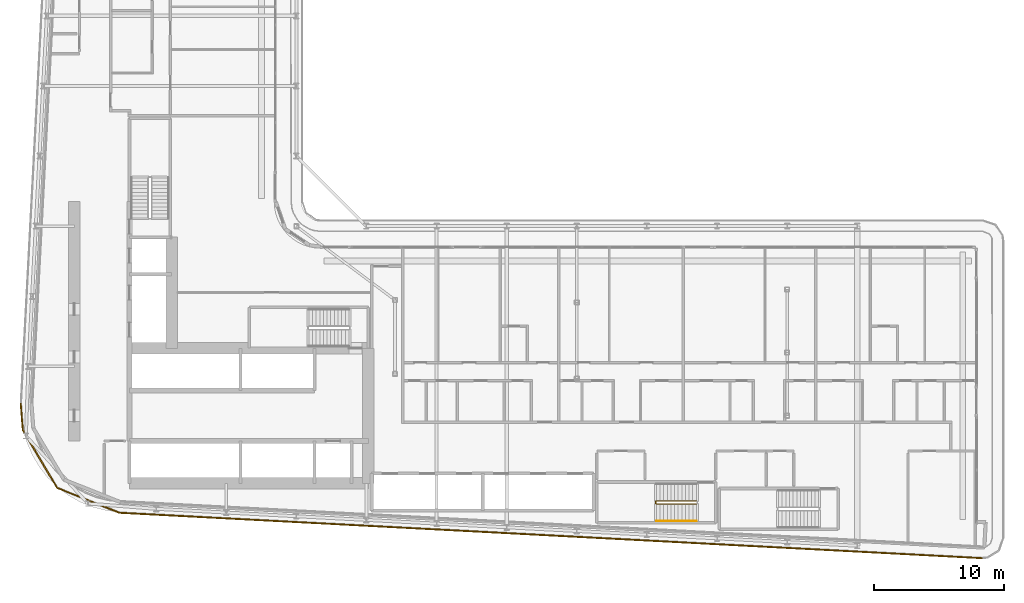
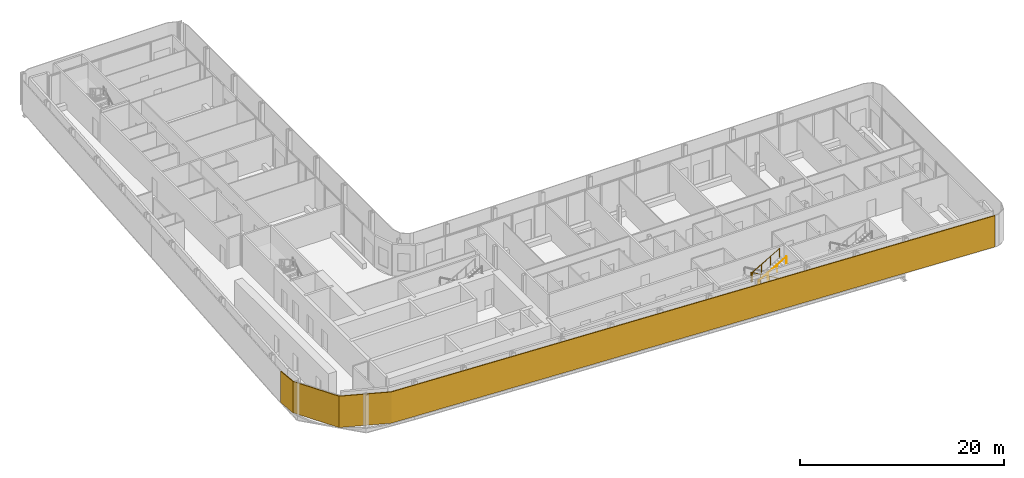
# One storey, part 23 of 27: 2 railings, 1 shading device.
"""IFC4 building model written with IfcOpenShell, lengths in metres."""

import ifcopenshell
import ifcopenshell.guid

model = None  # the IFC model being written
_history = None  # IfcOwnerHistory: only IFC2X3 demands one
_inside = {}  # id of a spatial element -> (the spatial element, [elements in it])
_under = {}  # id of a project, library or spatial element -> (it, [spatial elements below it])
_declared = {}  # id of a project -> (the project, [libraries it declares])
_typed = {}  # id of a type object -> (the type object, [elements of that type])
_made_of = {}  # id of a material, layer set ... -> (it, [elements and type objects made of it])


def new_model(schema):
    """Start an empty IFC model of exactly this schema.

    Asked for "IFC4X3", IfcOpenShell would pick the latest addendum, in which some entities
    have other attributes; the version numbers below select the first issue.
    IFC2X3 requires an IfcOwnerHistory on every rooted entity: one is made here for all.
    """
    global model, _history
    if schema == "IFC4X3":
        model = ifcopenshell.file(schema_version=(4, 3, 0, 0))
    else:
        model = ifcopenshell.file(schema=schema)
    _inside.clear()
    _under.clear()
    _declared.clear()
    _typed.clear()
    _made_of.clear()
    _history = None
    if model.schema == "IFC2X3":
        org = make("IfcOrganization", Name="unknown")
        user = make(
            "IfcPersonAndOrganization",
            ThePerson=make("IfcPerson", FamilyName="unknown"),
            TheOrganization=org,
        )
        app = make(
            "IfcApplication",
            ApplicationDeveloper=org,
            Version="unknown",
            ApplicationFullName="unknown",
            ApplicationIdentifier="unknown",
        )
        _history = make(
            "IfcOwnerHistory",
            OwningUser=user,
            OwningApplication=app,
            ChangeAction="ADDED",
            CreationDate=0,
        )
    return model


def make(cls, **values):
    """One entity of the class cls with the attributes given. An attribute that is None is left unset."""
    return model.create_entity(
        cls, **{name: value for name, value in values.items() if value is not None}
    )


def rooted(cls, **values):
    """An entity with a GlobalId (a new one), such as an element, a storey or a relation."""
    return make(cls, GlobalId=ifcopenshell.guid.new(), OwnerHistory=_history, **values)


def si_unit(unit_type, name, prefix=None):
    """IfcSIUnit, for example si_unit("LENGTHUNIT", "METRE", prefix="MILLI")."""
    return make("IfcSIUnit", UnitType=unit_type, Prefix=prefix, Name=name)


def assignment(units):
    """IfcUnitAssignment: the units of a project."""
    return None if units is None else make("IfcUnitAssignment", Units=units)


def point(xyz):
    """IfcCartesianPoint."""
    return None if xyz is None else make("IfcCartesianPoint", Coordinates=xyz)


def direction(xyz):
    """IfcDirection."""
    return None if xyz is None else make("IfcDirection", DirectionRatios=xyz)


def frame(location, z_axis=None, x_axis=None):
    """IfcAxis2Placement3D, a coordinate frame: its origin and axes. An axis left out is left unset."""
    return make(
        "IfcAxis2Placement3D",
        Location=point(location),
        Axis=direction(z_axis),
        RefDirection=direction(x_axis),
    )


def frame_2d(location, x_axis=None):
    """IfcAxis2Placement2D, a coordinate frame in the plane: its origin and x axis."""
    return make(
        "IfcAxis2Placement2D", Location=point(location), RefDirection=direction(x_axis)
    )


def origin():
    """The frame at (0, 0, 0) with its axes left unset."""
    return frame((0.0, 0.0, 0.0))


def origin_2d():
    """The frame at (0, 0) in the plane with its x axis left unset."""
    return frame_2d((0.0, 0.0))


def place(relative_to, where):
    """IfcLocalPlacement: puts the frame where relative to a parent placement (None: the world)."""
    return make(
        "IfcLocalPlacement", PlacementRelTo=relative_to, RelativePlacement=where
    )


def context(
    kind, dimensions, precision=None, world=None, true_north=None, identifier=None
):
    """IfcGeometricRepresentationContext, for example the 3D "Model" context."""
    return make(
        "IfcGeometricRepresentationContext",
        ContextIdentifier=identifier,
        ContextType=kind,
        CoordinateSpaceDimension=dimensions,
        Precision=precision,
        WorldCoordinateSystem=world,
        TrueNorth=true_north,
    )


def subcontext(parent, identifier, kind, view, scale=None):
    """IfcGeometricRepresentationSubContext, for example "Body" below "Model"."""
    return make(
        "IfcGeometricRepresentationSubContext",
        ContextIdentifier=identifier,
        ContextType=kind,
        ParentContext=parent,
        TargetScale=scale,
        TargetView=view,
    )


def project(units=None, contexts=None):
    """IfcProject with its units and contexts."""
    return rooted(
        "IfcProject",
        Name="project",
        RepresentationContexts=contexts,
        UnitsInContext=assignment(units),
    )


def spatial(cls, under=None, at=None, **own):
    """A site, building, storey or space (cls), placed at a placement, below another one or the project."""
    s = rooted(cls, ObjectPlacement=at, **own)
    if under is not None:
        _under.setdefault(under.id(), (under, []))[1].append(s)
    return s


def polyline(points):
    """IfcPolyline through the points."""
    return make("IfcPolyline", Points=[point(p) for p in points])


def profile(cls, at=None, kind="AREA", **sizes):
    """A parametric profile (cls). Its sizes go by their IFC names, for example OverallWidth=200.0."""
    return make(cls, ProfileType=kind, Position=at, **sizes)


def circle(**sizes):
    """IfcCircleProfileDef."""
    return profile("IfcCircleProfileDef", **sizes)


def outline(outer, holes=None, kind="AREA"):
    """IfcArbitraryClosedProfileDef: a profile drawn as a closed curve; with holes, ...WithVoids."""
    if holes is None:
        return make("IfcArbitraryClosedProfileDef", ProfileType=kind, OuterCurve=outer)
    return make(
        "IfcArbitraryProfileDefWithVoids",
        ProfileType=kind,
        OuterCurve=outer,
        InnerCurves=holes,
    )


def extrude(swept, where, along, depth):
    """IfcExtrudedAreaSolid: the profile swept, set in the frame where, extruded along a direction by depth."""
    return make(
        "IfcExtrudedAreaSolid",
        SweptArea=swept,
        Position=where,
        ExtrudedDirection=direction(along),
        Depth=depth,
    )


def shape(context_of_items, identifier, shape_type, items):
    """IfcShapeRepresentation: the items that make up one representation, for example the "Body"."""
    return make(
        "IfcShapeRepresentation",
        ContextOfItems=context_of_items,
        RepresentationIdentifier=identifier,
        RepresentationType=shape_type,
        Items=items,
    )


def material(Name=None, Category=None):
    """IfcMaterial."""
    return make("IfcMaterial", Name=Name, Category=Category)


def layer(
    of_material, thickness, ventilated=None, Name=None, Category=None, Priority=None
):
    """IfcMaterialLayer: one layer of a wall or slab, of a material (None: an air gap)."""
    return make(
        "IfcMaterialLayer",
        Material=of_material,
        LayerThickness=thickness,
        IsVentilated=ventilated,
        Name=Name,
        Category=Category,
        Priority=Priority,
    )


def layer_set(layers, Name=None):
    """IfcMaterialLayerSet."""
    return make("IfcMaterialLayerSet", MaterialLayers=layers, LayerSetName=Name)


def made_of(thing, what):
    """Note that an element or type object is made of a material, layer set ...; save() writes the relation."""
    if what is not None:
        _made_of.setdefault(what.id(), (what, []))[1].append(thing)
    return thing


def type_object(cls, material=None, **own):
    """A type object (cls), such as IfcWallType, which elements share."""
    return made_of(rooted(cls, **own), material)


def element(
    cls,
    number,
    at=None,
    inside=None,
    cuts=None,
    type_object=None,
    material=None,
    context=None,
    identifier="Body",
    shape_type=None,
    held_by="IfcProductDefinitionShape",
    body=None,
    shapes=None,
    **own,
):
    """One element of the class cls, such as IfcWall. Its Tag is "e" and its number.

    at: its placement. inside: the storey or other place that contains it. cuts: it is an
    opening in that element (IfcRelVoidsElement). A single representation is given by context,
    identifier, shape_type and body (its items); several are given by shapes. held_by: the class
    of the entity that holds the representations. save() writes the other relations.
    """
    e = rooted(cls, Tag="e%d" % number, ObjectPlacement=at, **own)
    if body is not None:
        shapes = [shape(context, identifier, shape_type, body)]
    if shapes is not None:
        e.Representation = make(held_by, Representations=shapes)
    if inside is not None:
        _inside.setdefault(inside.id(), (inside, []))[1].append(e)
    if cuts is not None:
        rooted(
            "IfcRelVoidsElement", RelatingBuildingElement=cuts, RelatedOpeningElement=e
        )
    if type_object is not None:
        _typed.setdefault(type_object.id(), (type_object, []))[1].append(e)
    return made_of(e, material)


def aggregate(whole, parts):
    """IfcRelAggregates: a whole, such as a stair, and the parts it consists of."""
    return rooted("IfcRelAggregates", RelatingObject=whole, RelatedObjects=parts)


def save(model, path):
    """Write the relations noted so far, then the file.

    IfcRelAggregates (storeys below a building ...), IfcRelContainedInSpatialStructure (elements
    in a storey), IfcRelDefinesByType, IfcRelAssociatesMaterial and IfcRelDeclares: one each for
    every whole, place, type object, material and project.
    """
    for whole, parts in _under.values():
        aggregate(whole, parts)
    for where, things in _inside.values():
        rooted(
            "IfcRelContainedInSpatialStructure",
            RelatedElements=things,
            RelatingStructure=where,
        )
    for kind, things in _typed.values():
        rooted("IfcRelDefinesByType", RelatedObjects=things, RelatingType=kind)
    for what, things in _made_of.values():
        rooted("IfcRelAssociatesMaterial", RelatedObjects=things, RelatingMaterial=what)
    for by, libraries in _declared.values():
        rooted("IfcRelDeclares", RelatingContext=by, RelatedDefinitions=libraries)
    model.write(path)


model = new_model("IFC4")

# Units and contexts
model_context = context("Model", 3, precision=1e-05, world=origin(), true_north=direction((0.0, 1.0)))
body_context = subcontext(model_context, "Body", "Model", "MODEL_VIEW")
ifc_project = project(units=[si_unit("LENGTHUNIT", "METRE"), si_unit("AREAUNIT", "SQUARE_METRE"), si_unit("VOLUMEUNIT", "CUBIC_METRE"), si_unit("PLANEANGLEUNIT", "RADIAN"), si_unit("MASSUNIT", "GRAM", prefix="KILO")], contexts=[model_context])

# Site, building, storey
site_placement = place(None, origin())
site = spatial("IfcSite", under=ifc_project, at=site_placement, CompositionType="ELEMENT")
building_placement = place(site_placement, origin())
building = spatial("IfcBuilding", under=site, at=building_placement, Name="Kheshtan School and Residences Tower", CompositionType="ELEMENT")
storey_placement = place(building_placement, frame((0.0, 0.0, 101.89990234375)))
storey = spatial("IfcBuildingStorey", under=building, at=storey_placement, Name="L23", CompositionType="ELEMENT", Elevation=101.89990234375)

# Shading device
ifc_material_1 = material(Name="Terracotta baguette, extruded ceramic", Category="masonry")
ifc_layer = layer(ifc_material_1, 0.10009765625)
ifc_layer_set = layer_set([ifc_layer], Name="Ledge screen, terracotta baguettes")
shading_device_type = type_object("IfcShadingDeviceType", Name="Ledge screen, terracotta baguettes", PredefinedType="USERDEFINED", material=ifc_layer_set)
shading_device_placement = place(storey_placement, origin())
element("IfcShadingDevice", 1, at=shading_device_placement, inside=storey, type_object=shading_device_type, Name="Screen L23 3", ObjectType="BAGUETTE", PredefinedType="USERDEFINED", context=body_context, shape_type="SweptSolid", body=[
    extrude(outline(polyline([(100.4208984375, 20.0830078125), (33.989013671875, 23.580078125), (29.2119140625, 25.486083984375), (26.583984375, 29.906982421875), (26.419921875, 31.989013671875), (26.320068359375, 31.98095703125), (26.486083984375, 29.8759765625), (29.14306640625, 25.406005859375), (33.967041015625, 23.48095703125), (100.416015625, 19.98291015625), (100.4208984375, 20.0830078125)])), origin(), (0.0, 0.0, 1.0), 3.75),
])

# Railings
ifc_material_2 = material(Name="Stainless steel balustrade", Category="steel")
railing_type_1 = type_object("IfcRailingType", Name="Stair guard 1100", PredefinedType="GUARDRAIL", material=ifc_material_2)
railing_1_placement = place(storey_placement, frame((78.409912109375, 24.449951171875, 0.16259765625)))
element("IfcRailing", 2, at=railing_1_placement, inside=storey, type_object=railing_type_1, Name="L23 ST5 stair guard 1", PredefinedType="GUARDRAIL", context=body_context, shape_type="SweptSolid", body=[
    extrude(circle(Radius=0.02392578125, at=origin_2d()), frame((0.0, 0.0, 1.076171875), z_axis=(-0.864873446163, 0.0, 0.501989962173), x_axis=(0.0, -1.0, 0.0)), (0.0, 0.0, 1.0), 3.56103515625),
    extrude(circle(Radius=0.02392578125, at=origin_2d()), frame((-3.079833984375, 0.0, 2.86376953125), z_axis=(-0.707106781187, -0.707106781187, 0.0), x_axis=(0.707106781187, -0.707106781187, 0.0)), (0.0, 0.0, 1.0), 0.07080078125),
    extrude(circle(Radius=0.02392578125, at=origin_2d()), frame((-3.1298828125, -0.050048828125, 2.86376953125), z_axis=(0.0, -1.0, 0.0), x_axis=(1.0, 0.0, 0.0)), (0.0, 0.0, 1.0), 0.14990234375),
    extrude(circle(Radius=0.02392578125, at=origin_2d()), frame((-3.1298828125, -0.199951171875, 2.86376953125), z_axis=(0.282583949758, -0.282583949758, 0.916674763849), x_axis=(0.707106781187, 0.707106781187, 0.0)), (0.0, 0.0, 1.0), 0.177001953125),
    extrude(circle(Radius=0.02392578125, at=origin_2d()), frame((-3.079833984375, -0.25, 3.02587890625), z_axis=(0.864873446163, 0.0, 0.501989962173), x_axis=(0.0, 1.0, 0.0)), (0.0, 0.0, 1.0), 3.56103515625),
    extrude(circle(Radius=0.02099609375, at=origin_2d()), origin(), (0.0, 0.0, 1.0), 1.052001953125),
    extrude(circle(Radius=0.02099609375, at=origin_2d()), frame((-1.026611328125, 0.0, 0.595947265625)), (0.0, 0.0, 1.0), 1.052001953125),
    extrude(circle(Radius=0.02099609375, at=origin_2d()), frame((-2.05322265625, 0.0, 1.191650390625)), (0.0, 0.0, 1.0), 1.052001953125),
    extrude(circle(Radius=0.02099609375, at=origin_2d()), frame((-3.079833984375, 0.0, 1.78759765625)), (0.0, 0.0, 1.0), 1.052001953125),
    extrude(circle(Radius=0.02099609375, at=origin_2d()), frame((-3.1298828125, -0.050048828125, 1.78759765625)), (0.0, 0.0, 1.0), 1.052001953125),
    extrude(circle(Radius=0.02099609375, at=origin_2d()), frame((-3.1298828125, -0.199951171875, 1.78759765625)), (0.0, 0.0, 1.0), 1.052001953125),
    extrude(circle(Radius=0.02099609375, at=origin_2d()), frame((-3.079833984375, -0.25, 1.949951171875)), (0.0, 0.0, 1.0), 1.052001953125),
    extrude(circle(Radius=0.02099609375, at=origin_2d()), frame((-2.05322265625, -0.25, 2.5458984375)), (0.0, 0.0, 1.0), 1.052001953125),
    extrude(circle(Radius=0.02099609375, at=origin_2d()), frame((-1.026611328125, -0.25, 3.1416015625)), (0.0, 0.0, 1.0), 1.052001953125),
    extrude(circle(Radius=0.02099609375, at=origin_2d()), frame((0.0, -0.25, 3.737548828125)), (0.0, 0.0, 1.0), 1.052001953125),
])
ifc_material_3 = material(Name="Stainless steel handrail", Category="steel")
railing_type_2 = type_object("IfcRailingType", Name="Stair handrail 900", PredefinedType="HANDRAIL", material=ifc_material_3)
railing_2_placement = place(storey_placement, frame((75.330078125, 22.89990234375, 2.112548828125)))
element("IfcRailing", 3, at=railing_2_placement, inside=storey, type_object=railing_type_2, Name="L23 ST5 stair handrail 2", PredefinedType="HANDRAIL", context=body_context, shape_type="SweptSolid", body=[
    extrude(circle(Radius=0.02392578125, at=origin_2d()), frame((0.0, 0.0, 0.8759765625), z_axis=(0.864873446163, 0.0, 0.501989962173), x_axis=(0.0, 1.0, 0.0)), (0.0, 0.0, 1.0), 3.56103515625),
    extrude(circle(Radius=0.02099609375, at=origin_2d()), origin(), (0.0, 0.0, 1.0), 0.851806640625),
    extrude(circle(Radius=0.02099609375, at=origin_2d()), frame((1.026611328125, 0.0, 0.595947265625)), (0.0, 0.0, 1.0), 0.851806640625),
    extrude(circle(Radius=0.02099609375, at=origin_2d()), frame((2.05322265625, 0.0, 1.191650390625)), (0.0, 0.0, 1.0), 0.851806640625),
    extrude(circle(Radius=0.02099609375, at=origin_2d()), frame((3.079833984375, 0.0, 1.78759765625)), (0.0, 0.0, 1.0), 0.851806640625),
])

save(model, "model.ifc")
